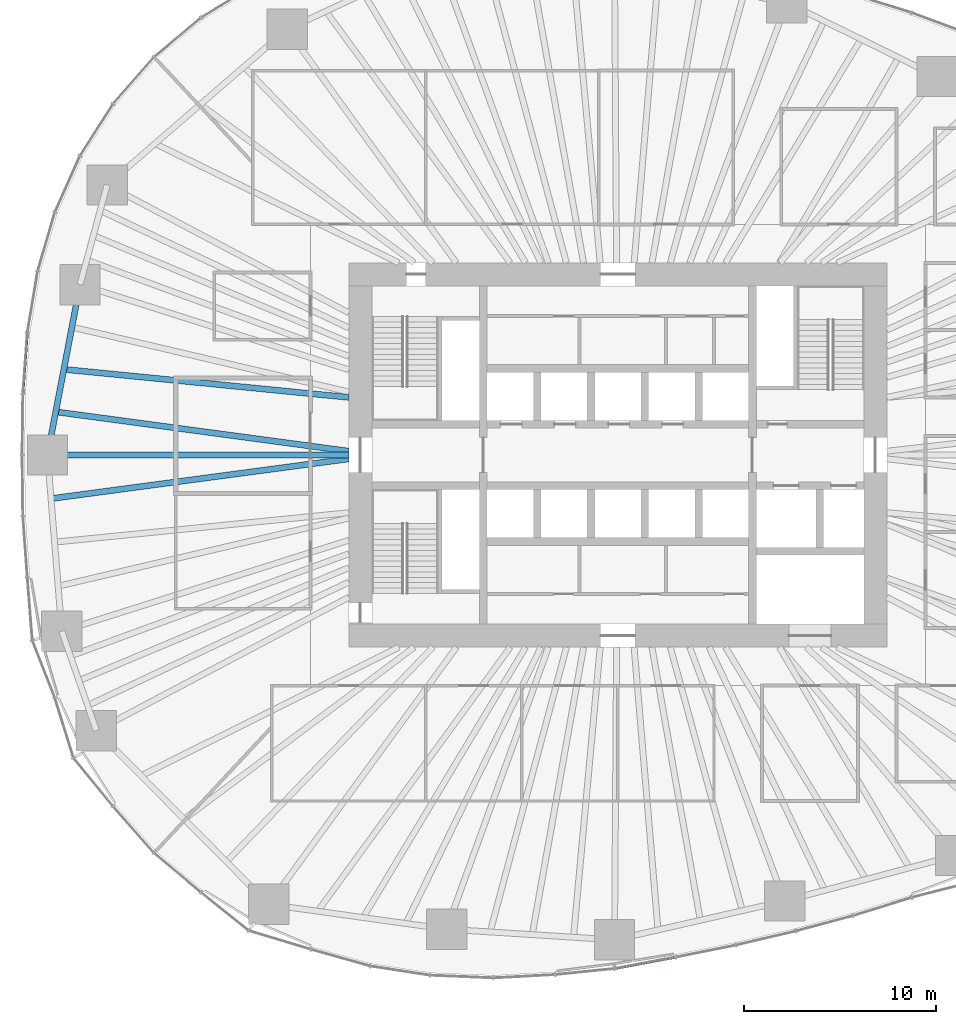
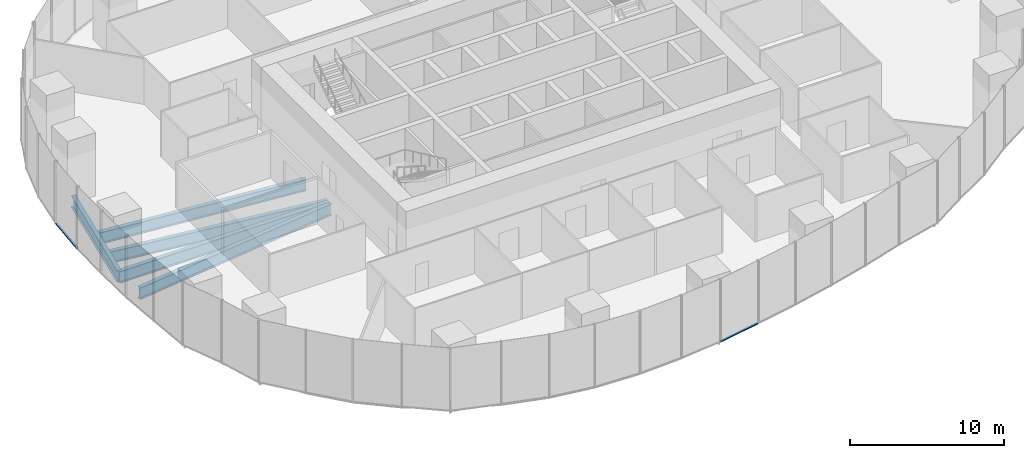
# One storey, part 3 of 20: 5 beams, 2 members, 2 elements without a shape of their own.
"""IFC4 building model written with IfcOpenShell, lengths in metres."""

import ifcopenshell
import ifcopenshell.guid

model = None  # the IFC model being written
_history = None  # IfcOwnerHistory: only IFC2X3 demands one
_inside = {}  # id of a spatial element -> (the spatial element, [elements in it])
_under = {}  # id of a project, library or spatial element -> (it, [spatial elements below it])
_declared = {}  # id of a project -> (the project, [libraries it declares])
_typed = {}  # id of a type object -> (the type object, [elements of that type])
_made_of = {}  # id of a material, layer set ... -> (it, [elements and type objects made of it])


def new_model(schema):
    """Start an empty IFC model of exactly this schema.

    Asked for "IFC4X3", IfcOpenShell would pick the latest addendum, in which some entities
    have other attributes; the version numbers below select the first issue.
    IFC2X3 requires an IfcOwnerHistory on every rooted entity: one is made here for all.
    """
    global model, _history
    if schema == "IFC4X3":
        model = ifcopenshell.file(schema_version=(4, 3, 0, 0))
    else:
        model = ifcopenshell.file(schema=schema)
    _inside.clear()
    _under.clear()
    _declared.clear()
    _typed.clear()
    _made_of.clear()
    _history = None
    if model.schema == "IFC2X3":
        org = make("IfcOrganization", Name="unknown")
        user = make(
            "IfcPersonAndOrganization",
            ThePerson=make("IfcPerson", FamilyName="unknown"),
            TheOrganization=org,
        )
        app = make(
            "IfcApplication",
            ApplicationDeveloper=org,
            Version="unknown",
            ApplicationFullName="unknown",
            ApplicationIdentifier="unknown",
        )
        _history = make(
            "IfcOwnerHistory",
            OwningUser=user,
            OwningApplication=app,
            ChangeAction="ADDED",
            CreationDate=0,
        )
    return model


def make(cls, **values):
    """One entity of the class cls with the attributes given. An attribute that is None is left unset."""
    return model.create_entity(
        cls, **{name: value for name, value in values.items() if value is not None}
    )


def rooted(cls, **values):
    """An entity with a GlobalId (a new one), such as an element, a storey or a relation."""
    return make(cls, GlobalId=ifcopenshell.guid.new(), OwnerHistory=_history, **values)


def si_unit(unit_type, name, prefix=None):
    """IfcSIUnit, for example si_unit("LENGTHUNIT", "METRE", prefix="MILLI")."""
    return make("IfcSIUnit", UnitType=unit_type, Prefix=prefix, Name=name)


def assignment(units):
    """IfcUnitAssignment: the units of a project."""
    return None if units is None else make("IfcUnitAssignment", Units=units)


def point(xyz):
    """IfcCartesianPoint."""
    return None if xyz is None else make("IfcCartesianPoint", Coordinates=xyz)


def direction(xyz):
    """IfcDirection."""
    return None if xyz is None else make("IfcDirection", DirectionRatios=xyz)


def frame(location, z_axis=None, x_axis=None):
    """IfcAxis2Placement3D, a coordinate frame: its origin and axes. An axis left out is left unset."""
    return make(
        "IfcAxis2Placement3D",
        Location=point(location),
        Axis=direction(z_axis),
        RefDirection=direction(x_axis),
    )


def frame_2d(location, x_axis=None):
    """IfcAxis2Placement2D, a coordinate frame in the plane: its origin and x axis."""
    return make(
        "IfcAxis2Placement2D", Location=point(location), RefDirection=direction(x_axis)
    )


def origin():
    """The frame at (0, 0, 0) with its axes left unset."""
    return frame((0.0, 0.0, 0.0))


def origin_2d():
    """The frame at (0, 0) in the plane with its x axis left unset."""
    return frame_2d((0.0, 0.0))


def place(relative_to, where):
    """IfcLocalPlacement: puts the frame where relative to a parent placement (None: the world)."""
    return make(
        "IfcLocalPlacement", PlacementRelTo=relative_to, RelativePlacement=where
    )


def context(
    kind, dimensions, precision=None, world=None, true_north=None, identifier=None
):
    """IfcGeometricRepresentationContext, for example the 3D "Model" context."""
    return make(
        "IfcGeometricRepresentationContext",
        ContextIdentifier=identifier,
        ContextType=kind,
        CoordinateSpaceDimension=dimensions,
        Precision=precision,
        WorldCoordinateSystem=world,
        TrueNorth=true_north,
    )


def subcontext(parent, identifier, kind, view, scale=None):
    """IfcGeometricRepresentationSubContext, for example "Body" below "Model"."""
    return make(
        "IfcGeometricRepresentationSubContext",
        ContextIdentifier=identifier,
        ContextType=kind,
        ParentContext=parent,
        TargetScale=scale,
        TargetView=view,
    )


def project(units=None, contexts=None):
    """IfcProject with its units and contexts."""
    return rooted(
        "IfcProject",
        Name="project",
        RepresentationContexts=contexts,
        UnitsInContext=assignment(units),
    )


def spatial(cls, under=None, at=None, **own):
    """A site, building, storey or space (cls), placed at a placement, below another one or the project."""
    s = rooted(cls, ObjectPlacement=at, **own)
    if under is not None:
        _under.setdefault(under.id(), (under, []))[1].append(s)
    return s


def profile(cls, at=None, kind="AREA", **sizes):
    """A parametric profile (cls). Its sizes go by their IFC names, for example OverallWidth=200.0."""
    return make(cls, ProfileType=kind, Position=at, **sizes)


def rectangle(**sizes):
    """IfcRectangleProfileDef."""
    return profile("IfcRectangleProfileDef", **sizes)


def i_section(**sizes):
    """IfcIShapeProfileDef."""
    return profile("IfcIShapeProfileDef", **sizes)


def extrude(swept, where, along, depth):
    """IfcExtrudedAreaSolid: the profile swept, set in the frame where, extruded along a direction by depth."""
    return make(
        "IfcExtrudedAreaSolid",
        SweptArea=swept,
        Position=where,
        ExtrudedDirection=direction(along),
        Depth=depth,
    )


def shape(context_of_items, identifier, shape_type, items):
    """IfcShapeRepresentation: the items that make up one representation, for example the "Body"."""
    return make(
        "IfcShapeRepresentation",
        ContextOfItems=context_of_items,
        RepresentationIdentifier=identifier,
        RepresentationType=shape_type,
        Items=items,
    )


def material(Name=None, Category=None):
    """IfcMaterial."""
    return make("IfcMaterial", Name=Name, Category=Category)


def material_profile(
    of_material, cross_section, Name=None, Category=None, Priority=None
):
    """IfcMaterialProfile: a cross section and its material."""
    return make(
        "IfcMaterialProfile",
        Name=Name,
        Material=of_material,
        Profile=cross_section,
        Priority=Priority,
        Category=Category,
    )


def profile_set(profiles, Name=None, composite=None):
    """IfcMaterialProfileSet."""
    return make(
        "IfcMaterialProfileSet",
        Name=Name,
        MaterialProfiles=profiles,
        CompositeProfile=composite,
    )


def made_of(thing, what):
    """Note that an element or type object is made of a material, layer set ...; save() writes the relation."""
    if what is not None:
        _made_of.setdefault(what.id(), (what, []))[1].append(thing)
    return thing


def type_object(cls, material=None, **own):
    """A type object (cls), such as IfcWallType, which elements share."""
    return made_of(rooted(cls, **own), material)


def element(
    cls,
    number,
    at=None,
    inside=None,
    cuts=None,
    type_object=None,
    material=None,
    context=None,
    identifier="Body",
    shape_type=None,
    held_by="IfcProductDefinitionShape",
    body=None,
    shapes=None,
    **own,
):
    """One element of the class cls, such as IfcWall. Its Tag is "e" and its number.

    at: its placement. inside: the storey or other place that contains it. cuts: it is an
    opening in that element (IfcRelVoidsElement). A single representation is given by context,
    identifier, shape_type and body (its items); several are given by shapes. held_by: the class
    of the entity that holds the representations. save() writes the other relations.
    """
    e = rooted(cls, Tag="e%d" % number, ObjectPlacement=at, **own)
    if body is not None:
        shapes = [shape(context, identifier, shape_type, body)]
    if shapes is not None:
        e.Representation = make(held_by, Representations=shapes)
    if inside is not None:
        _inside.setdefault(inside.id(), (inside, []))[1].append(e)
    if cuts is not None:
        rooted(
            "IfcRelVoidsElement", RelatingBuildingElement=cuts, RelatedOpeningElement=e
        )
    if type_object is not None:
        _typed.setdefault(type_object.id(), (type_object, []))[1].append(e)
    return made_of(e, material)


def aggregate(whole, parts):
    """IfcRelAggregates: a whole, such as a stair, and the parts it consists of."""
    return rooted("IfcRelAggregates", RelatingObject=whole, RelatedObjects=parts)


def save(model, path):
    """Write the relations noted so far, then the file.

    IfcRelAggregates (storeys below a building ...), IfcRelContainedInSpatialStructure (elements
    in a storey), IfcRelDefinesByType, IfcRelAssociatesMaterial and IfcRelDeclares: one each for
    every whole, place, type object, material and project.
    """
    for whole, parts in _under.values():
        aggregate(whole, parts)
    for where, things in _inside.values():
        rooted(
            "IfcRelContainedInSpatialStructure",
            RelatedElements=things,
            RelatingStructure=where,
        )
    for kind, things in _typed.values():
        rooted("IfcRelDefinesByType", RelatedObjects=things, RelatingType=kind)
    for what, things in _made_of.values():
        rooted("IfcRelAssociatesMaterial", RelatedObjects=things, RelatingMaterial=what)
    for by, libraries in _declared.values():
        rooted("IfcRelDeclares", RelatingContext=by, RelatedDefinitions=libraries)
    model.write(path)


model = new_model("IFC4")

# Units and contexts
model_context = context("Model", 3, precision=1e-05, world=origin(), true_north=direction((0.0, 1.0)))
body_context = subcontext(model_context, "Body", "Model", "MODEL_VIEW")
ifc_project = project(units=[si_unit("LENGTHUNIT", "METRE"), si_unit("AREAUNIT", "SQUARE_METRE"), si_unit("VOLUMEUNIT", "CUBIC_METRE"), si_unit("PLANEANGLEUNIT", "RADIAN"), si_unit("MASSUNIT", "GRAM", prefix="KILO")], contexts=[model_context])

# Site, building, storey
site_placement = place(None, origin())
site = spatial("IfcSite", under=ifc_project, at=site_placement, CompositionType="ELEMENT")
building_placement = place(site_placement, origin())
building = spatial("IfcBuilding", under=site, at=building_placement, Name="Ghaith Harvest Tower", CompositionType="ELEMENT")
storey_placement = place(building_placement, frame((0.0, 0.0, 25.0)))
storey = spatial("IfcBuildingStorey", under=building, at=storey_placement, Name="L05", CompositionType="ELEMENT", Elevation=25.0)

# Curtain wall, member
ifc_material_1 = material(Name="Black anodised aluminium and fritted glass", Category="aluminium")
curtain_wall_type = type_object("IfcCurtainWallType", Name="CW-F CURTAIN WALL", PredefinedType="NOTDEFINED", material=ifc_material_1)
curtain_wall_1_placement = place(storey_placement, origin())
curtain_wall_1 = element("IfcCurtainWall", 1, at=curtain_wall_1_placement, inside=storey, type_object=curtain_wall_type, Name="Curtain wall CW-F bay 10 L05", PredefinedType="NOTDEFINED")
ifc_material_2 = material(Name="Aluminium, black anodised", Category="aluminium")
ifc_material_profile_1 = material_profile(ifc_material_2, rectangle(XDim=0.139892578125, YDim=0.080078125, at=origin_2d()), Name="CW-F TRANSOM 140x80")
ifc_profile_set_1 = profile_set([ifc_material_profile_1], Name="Aluminium, black anodised")
member_type = type_object("IfcMemberType", Name="CW-F TRANSOM 140x80", PredefinedType="USERDEFINED", material=ifc_profile_set_1)
member_1_placement = place(storey_placement, frame((-30.72705078125, 6.335693359375, 0.0400390625), z_axis=(-0.072473547161, -0.997370334912, 0.0), x_axis=(0.997370334912, -0.072473547161, 0.0)))
member_1 = element("IfcMember", 2, at=member_1_placement, type_object=member_type, Name="CW-F transom 2 bay 10 L05", ObjectType="TRANSOM", PredefinedType="USERDEFINED", context=body_context, shape_type="SweptSolid", body=[
    extrude(rectangle(XDim=0.139892578125, YDim=0.080078125, at=origin_2d()), origin(), (0.0, 0.0, 1.0), 3.126220703125),
])
aggregate(curtain_wall_1, [member_1])

curtain_wall_2_placement = place(storey_placement, origin())
curtain_wall_2 = element("IfcCurtainWall", 3, at=curtain_wall_2_placement, inside=storey, type_object=curtain_wall_type, Name="Curtain wall CW-F bay 16 L05", PredefinedType="NOTDEFINED")
member_2_placement = place(storey_placement, frame((-0.1435546875, -26.709716796875, 0.0400390625), z_axis=(0.983139075124, 0.182859396706, 0.0), x_axis=(-0.182859396706, 0.983139075124, 0.0)))
member_2 = element("IfcMember", 4, at=member_2_placement, type_object=member_type, Name="CW-F transom 1 bay 16 L05", ObjectType="TRANSOM", PredefinedType="USERDEFINED", context=body_context, shape_type="SweptSolid", body=[
    extrude(rectangle(XDim=0.139892578125, YDim=0.080078125, at=origin_2d()), origin(), (0.0, 0.0, 1.0), 3.1669921875),
])
aggregate(curtain_wall_2, [member_2])

# Beams
ifc_material_3 = material(Name="Steel ASTM A992 Grade 50", Category="steel")
ifc_material_profile_2 = material_profile(ifc_material_3, i_section(OverallWidth=0.306884765625, OverallDepth=0.94189453125, WebThickness=0.022216796875, FlangeThickness=0.039794921875, at=origin_2d()), Name="W920X345")
ifc_profile_set_2 = profile_set([ifc_material_profile_2], Name="Steel ASTM A992 Grade 50")
beam_type_1 = type_object("IfcBeamType", Name="E920-345 W920X345", PredefinedType="SPANDREL", material=ifc_profile_set_2)
beam_1_placement = place(storey_placement, frame((-27.98291015625, 8.867919921875, -0.6708984375), z_axis=(-0.187433949108, -0.982277208695, 0.0), x_axis=(0.982277208695, -0.187433949108, 0.0)))
element("IfcBeam", 5, at=beam_1_placement, inside=storey, type_object=beam_type_1, Name="Edge beam E10 L05", PredefinedType="SPANDREL", context=body_context, shape_type="SweptSolid", body=[
    extrude(i_section(OverallWidth=0.306884765625, OverallDepth=0.94189453125, WebThickness=0.022216796875, FlangeThickness=0.039794921875, at=origin_2d()), origin(), (0.0, 0.0, 1.0), 9.02783203125),
])
ifc_material_4 = material(Name="Steel ASTM A992 Grade 50", Category="steel")
ifc_material_profile_3 = material_profile(ifc_material_4, i_section(OverallWidth=0.306884765625, OverallDepth=0.94189453125, WebThickness=0.022216796875, FlangeThickness=0.039794921875, at=origin_2d()), Name="W920X345")
ifc_profile_set_3 = profile_set([ifc_material_profile_3], Name="Steel ASTM A992 Grade 50")
beam_type_2 = type_object("IfcBeamType", Name="G920-345 W920X345", PredefinedType="BEAM", material=ifc_profile_set_3)
beam_2_placement = place(storey_placement, frame((-14.0, 0.0, -0.6708984375), z_axis=(-1.0, 0.0, 0.0), x_axis=(0.0, -1.0, 0.0)))
element("IfcBeam", 6, at=beam_2_placement, inside=storey, type_object=beam_type_2, Name="Radial girder G11 L05", PredefinedType="BEAM", context=body_context, shape_type="SweptSolid", body=[
    extrude(i_section(OverallWidth=0.306884765625, OverallDepth=0.94189453125, WebThickness=0.022216796875, FlangeThickness=0.039794921875, at=origin_2d()), origin(), (0.0, 0.0, 1.0), 15.675048828125),
])
ifc_material_5 = material(Name="Steel ASTM A992 Grade 50", Category="steel")
ifc_material_profile_4 = material_profile(ifc_material_5, i_section(OverallWidth=0.31005859375, OverallDepth=0.927001953125, WebThickness=0.019287109375, FlangeThickness=0.031982421875, at=origin_2d()), Name="W920X289")
ifc_profile_set_4 = profile_set([ifc_material_profile_4], Name="Steel ASTM A992 Grade 50")
beam_type_3 = type_object("IfcBeamType", Name="J920-289 W920X289", PredefinedType="JOIST", material=ifc_profile_set_4)
beam_3_placement = place(storey_placement, frame((-14.0, 3.0, -0.66357421875), z_axis=(-0.995196704135, 0.097895454848, 0.0), x_axis=(-0.097895454848, -0.995196704135, 0.0)))
element("IfcBeam", 7, at=beam_3_placement, inside=storey, type_object=beam_type_3, Name="Joist J10.2 L05", PredefinedType="JOIST", context=body_context, shape_type="SweptSolid", body=[
    extrude(i_section(OverallWidth=0.31005859375, OverallDepth=0.927001953125, WebThickness=0.019287109375, FlangeThickness=0.031982421875, at=origin_2d()), origin(), (0.0, 0.0, 1.0), 14.89599609375),
])
beam_4_placement = place(storey_placement, frame((-14.0, 0.199951171875, -0.66357421875), z_axis=(-0.991095171591, 0.133155401128, 0.0), x_axis=(-0.133155401128, -0.991095171591, 0.0)))
element("IfcBeam", 8, at=beam_4_placement, inside=storey, type_object=beam_type_3, Name="Joist J10.3 L05", PredefinedType="JOIST", context=body_context, shape_type="SweptSolid", body=[
    extrude(i_section(OverallWidth=0.31005859375, OverallDepth=0.927001953125, WebThickness=0.019287109375, FlangeThickness=0.031982421875, at=origin_2d()), origin(), (0.0, 0.0, 1.0), 15.383056640625),
])
beam_5_placement = place(storey_placement, frame((-14.0, -0.199951171875, -0.66357421875), z_axis=(-0.991213569042, -0.132271162948, 0.0), x_axis=(0.132271162948, -0.991213569042, 0.0)))
element("IfcBeam", 9, at=beam_5_placement, inside=storey, type_object=beam_type_3, Name="Joist J11.1 L05", PredefinedType="JOIST", context=body_context, shape_type="SweptSolid", body=[
    extrude(i_section(OverallWidth=0.31005859375, OverallDepth=0.927001953125, WebThickness=0.019287109375, FlangeThickness=0.031982421875, at=origin_2d()), origin(), (0.0, 0.0, 1.0), 15.6279296875),
])

save(model, "model.ifc")
